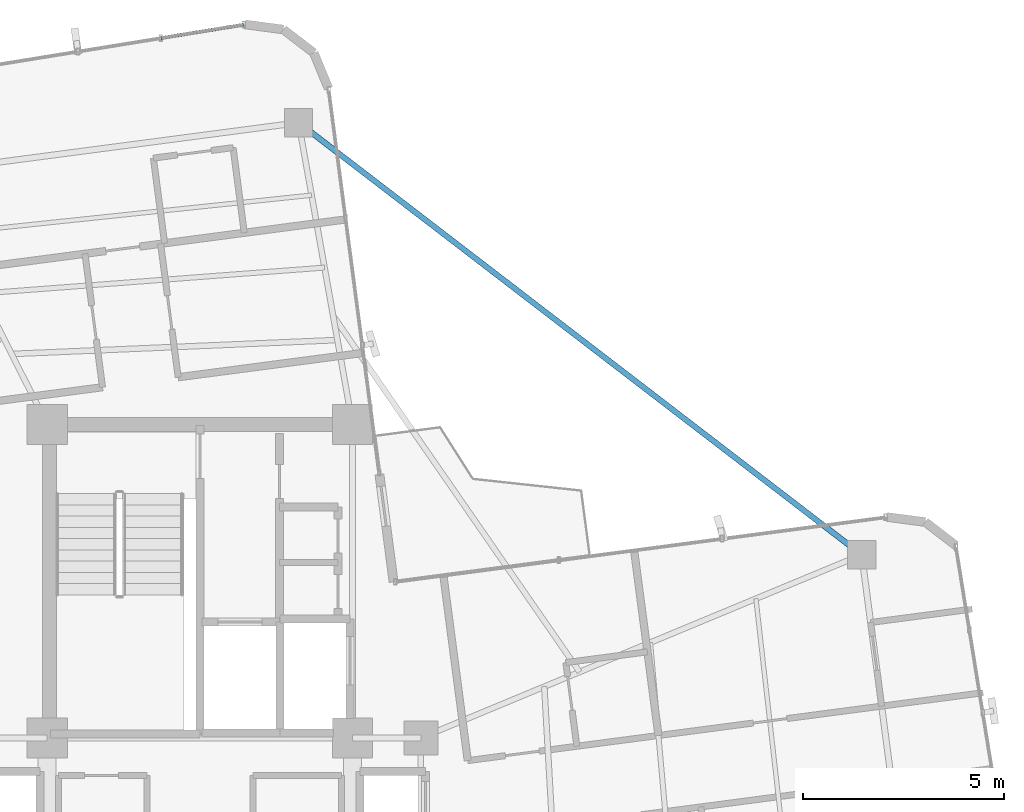
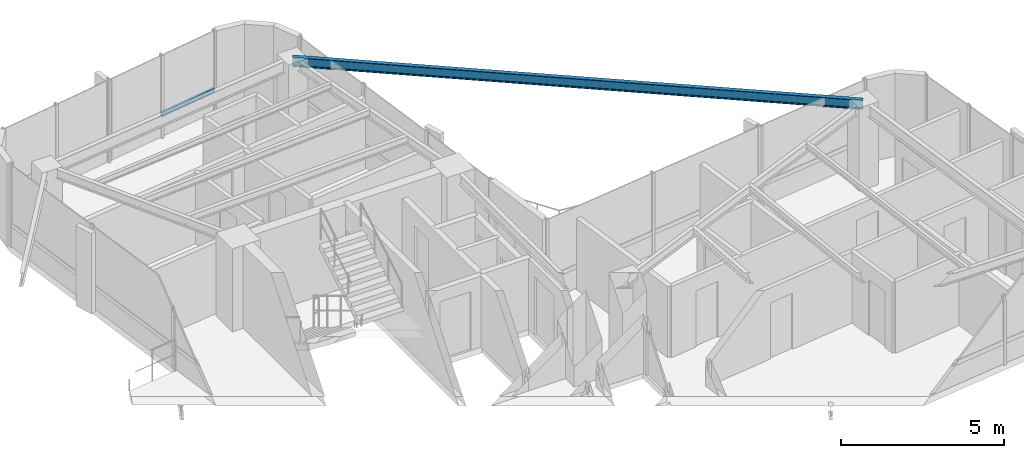
# One storey, part 15 of 22: 1 beam, 1 member, 1 element without a shape of its own.
"""IFC4 building model written with IfcOpenShell, lengths in metres."""

from ifc_helpers import new_model, si_unit, direction, frame, origin, origin_2d, place, context, subcontext, project, spatial, hollow_rectangle, i_section, extrude, source, transform, mapped, material, material_profile, profile_set, type_object, element, aggregate, save


model = new_model("IFC4")

# Units and contexts
model_context = context("Model", 3, precision=1e-05, world=origin(), true_north=direction((0.0, 1.0)))
body_context = subcontext(model_context, "Body", "Model", "MODEL_VIEW")
ifc_project = project(units=[si_unit("LENGTHUNIT", "METRE"), si_unit("AREAUNIT", "SQUARE_METRE"), si_unit("VOLUMEUNIT", "CUBIC_METRE"), si_unit("PLANEANGLEUNIT", "RADIAN"), si_unit("MASSUNIT", "GRAM", prefix="KILO")], contexts=[model_context])

# Site, building, storey
site_placement = place(None, origin())
site = spatial("IfcSite", under=ifc_project, at=site_placement, CompositionType="ELEMENT")
building_placement = place(site_placement, origin())
building = spatial("IfcBuilding", under=site, at=building_placement, Name="Sahyath Konkavel Grand Hotel", CompositionType="ELEMENT")
storey_placement = place(building_placement, frame((0.0, 0.0, 272.449951171875)))
storey = spatial("IfcBuildingStorey", under=building, at=storey_placement, Name="L76", CompositionType="ELEMENT", Elevation=272.449951171875)

# Beam
ifc_material_1 = material(Name="Steel E350", Category="steel")
ifc_material_profile_1 = material_profile(ifc_material_1, i_section(OverallWidth=0.139892578125, OverallDepth=0.35009765625, WebThickness=0.008056640625, FlangeThickness=0.01416015625, FilletRadius=0.013916015625, at=origin_2d()), Name="ISMB 350")
ifc_profile_set_1 = profile_set([ifc_material_profile_1], Name="Steel E350")
beam_type = type_object("IfcBeamType", Name="BM-ISMB350", PredefinedType="BEAM", material=ifc_profile_set_1)
shared_shape_1 = source(origin(), body_context, "Body", "SweptSolid", [
    extrude(i_section(OverallWidth=0.139892578125, OverallDepth=0.35009765625, WebThickness=0.008056640625, FlangeThickness=0.01416015625, FilletRadius=0.013916015625, at=origin_2d()), origin(), (0.0, 0.0, 1.0), 17.663330078125),
])
beam_placement = place(storey_placement, frame((16.472412109375, 6.959716796875, 2.93505859375), z_axis=(-0.793358692504, 0.608754453805, 0.0), x_axis=(-0.608754453805, -0.793358692504, 0.0)))
element("IfcBeam", 1, at=beam_placement, inside=storey, type_object=beam_type, Name="L76 Re-Entrant Tie Beam NE", PredefinedType="BEAM", context=body_context, shape_type="MappedRepresentation", body=[
    mapped(shared_shape_1, transform((0.0, 0.0, 0.0), scale=1.0)),
])

# Curtain wall, member
ifc_material_2 = material(Name="Anodised Bronze Aluminium & Low-E Glazing", Category="aluminium")
curtain_wall_type = type_object("IfcCurtainWallType", Name="CW-ZONE4", PredefinedType="NOTDEFINED", material=ifc_material_2)
curtain_wall_placement = place(storey_placement, origin())
curtain_wall = element("IfcCurtainWall", 2, at=curtain_wall_placement, inside=storey, type_object=curtain_wall_type, Name="L76 Unitised Curtain Wall F12", PredefinedType="NOTDEFINED")
ifc_material_3 = material(Name="Anodised Bronze Aluminium", Category="aluminium")
ifc_material_profile_2 = material_profile(ifc_material_3, hollow_rectangle(XDim=0.080078125, YDim=0.159912109375, WallThickness=0.006103515625, at=origin_2d()), Name="RHS 160x80x6")
ifc_profile_set_2 = profile_set([ifc_material_profile_2], Name="Anodised Bronze Aluminium")
member_type = type_object("IfcMemberType", Name="CW-TRN-160", PredefinedType="USERDEFINED", material=ifc_profile_set_2)
shared_shape_2 = source(origin(), body_context, "Body", "SweptSolid", [
    extrude(hollow_rectangle(XDim=0.080078125, YDim=0.159912109375, WallThickness=0.006103515625, at=origin_2d()), origin(), (0.0, 0.0, 1.0), 2.08740234375),
])
member_placement = place(storey_placement, frame((1.0888671875, 20.1533203125, 0.85009765625), z_axis=(-0.98719124923, -0.159541334591, 0.0), x_axis=(0.159541334591, -0.98719124923, 0.0)))
member = element("IfcMember", 3, at=member_placement, type_object=member_type, Name="L76 Curtain Wall Transom F12-0-spandrel", ObjectType="TRANSOM", PredefinedType="USERDEFINED", context=body_context, shape_type="MappedRepresentation", body=[
    mapped(shared_shape_2, transform((0.0, 0.0, 0.0), scale=1.0)),
])
aggregate(curtain_wall, [member])

save(model, "model.ifc")
